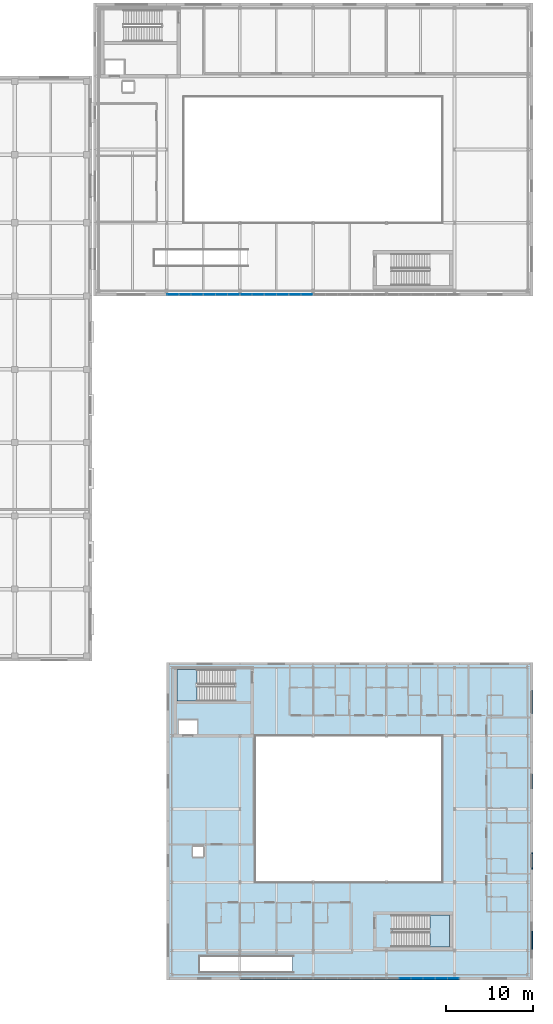
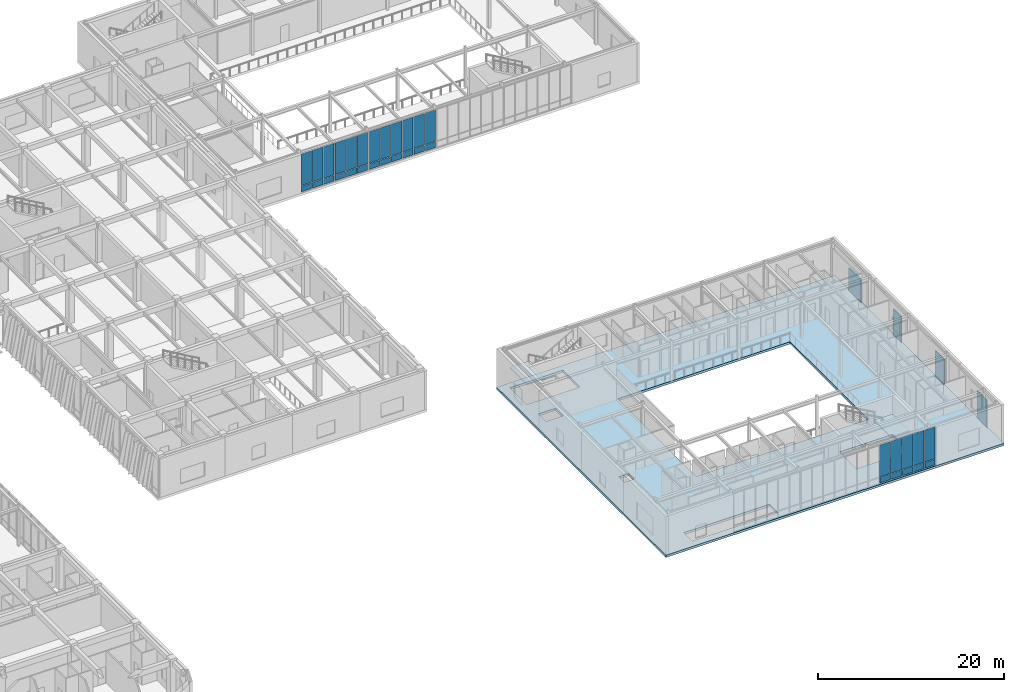
# One storey, part 99 of 139: 38 plates, 3 slabs, 5 elements without a shape of their own.
"""IFC4 building model written with IfcOpenShell, lengths in metres."""

from ifc_helpers import new_model, si_unit, direction, frame, origin, origin_2d, place, context, subcontext, project, spatial, polyline, rectangle, outline, extrude, material, layer, layer_set, type_object, element, aggregate, save


model = new_model("IFC4")

# Units and contexts
model_context = context("Model", 3, precision=1e-05, world=origin(), true_north=direction((0.0, 1.0)))
body_context = subcontext(model_context, "Body", "Model", "MODEL_VIEW")
ifc_project = project(units=[si_unit("LENGTHUNIT", "METRE"), si_unit("AREAUNIT", "SQUARE_METRE"), si_unit("VOLUMEUNIT", "CUBIC_METRE"), si_unit("PLANEANGLEUNIT", "RADIAN"), si_unit("MASSUNIT", "GRAM", prefix="KILO")], contexts=[model_context])

# Site, building, storey
site_placement = place(None, origin())
site = spatial("IfcSite", under=ifc_project, at=site_placement, CompositionType="ELEMENT")
building_placement = place(site_placement, origin())
building = spatial("IfcBuilding", under=site, at=building_placement, Name="Zayran Congress Hotel", CompositionType="ELEMENT")
storey_placement = place(building_placement, frame((0.0, 0.0, 5.39990234375)))
storey = spatial("IfcBuildingStorey", under=building, at=storey_placement, Name="L01", CompositionType="ELEMENT", Elevation=5.39990234375)

# Slab
ifc_material_1 = material(Name="Concrete C32/40", Category="concrete")
ifc_layer_1 = layer(ifc_material_1, 0.300048828125)
ifc_layer_set_1 = layer_set([ifc_layer_1], Name="Concrete C32/40")
slab_type_1 = type_object("IfcSlabType", Name="SL-FL-300", PredefinedType="FLOOR", material=ifc_layer_set_1)
slab_1_placement = place(storey_placement, frame((0.0, 0.0, -0.2998046875)))
element("IfcSlab", 1, at=slab_1_placement, inside=storey, type_object=slab_type_1, Name="SLB-V3-L01-014", PredefinedType="FLOOR", context=body_context, shape_type="SweptSolid", body=[
    extrude(outline(polyline([(151.199951171875, 6.0), (193.199951171875, 6.0), (193.199951171875, 42.39990234375), (151.199951171875, 42.39990234375), (151.199951171875, 6.0)]), holes=[polyline([(152.39990234375, 37.9599609375), (158.9599609375, 37.9599609375), (158.9599609375, 41.60009765625), (152.39990234375, 41.60009765625), (152.39990234375, 37.9599609375)]), polyline([(152.60009765625, 34.199951171875), (154.699951171875, 34.199951171875), (154.699951171875, 35.800048828125), (152.60009765625, 35.800048828125), (152.60009765625, 34.199951171875)]), polyline([(177.090087890625, 9.800048828125), (183.64990234375, 9.800048828125), (183.64990234375, 13.43994140625), (177.090087890625, 13.43994140625), (177.090087890625, 9.800048828125)]), polyline([(161.39990234375, 17.199951171875), (182.800048828125, 17.199951171875), (182.800048828125, 34.0), (161.39990234375, 34.0), (161.39990234375, 17.199951171875)]), polyline([(155.0, 6.89990234375), (165.64990234375, 6.89990234375), (165.64990234375, 8.699951171875), (155.0, 8.699951171875), (155.0, 6.89990234375)]), polyline([(154.199951171875, 20.10009765625), (155.419921875, 20.10009765625), (155.419921875, 21.280029296875), (154.199951171875, 21.280029296875), (154.199951171875, 20.10009765625)])]), origin(), (0.0, 0.0, 1.0), 0.2998046875),
])

# Plates
ifc_material_2 = material(Name="Ajlun reconstituted limestone claustra", Category="masonry")
ifc_layer_2 = layer(ifc_material_2, 0.1201171875)
ifc_layer_set_2 = layer_set([ifc_layer_2], Name="Ajlun reconstituted limestone claustra")
plate_type_1 = type_object("IfcPlateType", Name="TP-CLS-06", PredefinedType="USERDEFINED", material=ifc_layer_set_2)
plate_1_placement = place(storey_placement, frame((193.1201171875, 10.550048828125, 0.0), z_axis=(0.0, 0.0, 1.0), x_axis=(0.0, 1.0, 0.0)))
element("IfcPlate", 2, at=plate_1_placement, inside=storey, type_object=plate_type_1, Name="Pierced Claustra Screen 5", ObjectType="CLAUSTRA SCREEN", PredefinedType="USERDEFINED", context=body_context, shape_type="SweptSolid", body=[
    extrude(rectangle(XDim=2.10009765625, YDim=0.1201171875, at=origin_2d()), origin(), (0.0, 0.0, 1.0), 3.60009765625),
])
ifc_layer_3 = layer(ifc_material_2, 0.1201171875)
ifc_layer_set_3 = layer_set([ifc_layer_3], Name="Ajlun reconstituted limestone claustra")
plate_type_2 = type_object("IfcPlateType", Name="TP-CLS-07", PredefinedType="USERDEFINED", material=ifc_layer_set_3)
plate_2_placement = place(storey_placement, frame((193.1201171875, 19.64990234375, 0.000244140625), z_axis=(0.0, 0.0, 1.0), x_axis=(0.0, 1.0, 0.0)))
element("IfcPlate", 3, at=plate_2_placement, inside=storey, type_object=plate_type_2, Name="Pierced Claustra Screen 6", ObjectType="CLAUSTRA SCREEN", PredefinedType="USERDEFINED", context=body_context, shape_type="SweptSolid", body=[
    extrude(rectangle(XDim=1.89990234375, YDim=0.1201171875, at=origin_2d()), origin(), (0.0, 0.0, 1.0), 3.39990234375),
])
ifc_layer_4 = layer(ifc_material_2, 0.1201171875)
ifc_layer_set_4 = layer_set([ifc_layer_4], Name="Ajlun reconstituted limestone claustra")
plate_type_3 = type_object("IfcPlateType", Name="TP-CLS-08", PredefinedType="USERDEFINED", material=ifc_layer_set_4)
plate_3_placement = place(storey_placement, frame((193.1201171875, 28.75, 0.000244140625), z_axis=(0.0, 0.0, 1.0), x_axis=(0.0, 1.0, 0.0)))
element("IfcPlate", 4, at=plate_3_placement, inside=storey, type_object=plate_type_3, Name="Pierced Claustra Screen 7", ObjectType="CLAUSTRA SCREEN", PredefinedType="USERDEFINED", context=body_context, shape_type="SweptSolid", body=[
    extrude(rectangle(XDim=1.699951171875, YDim=0.1201171875, at=origin_2d()), origin(), (0.0, 0.0, 1.0), 3.39990234375),
])
ifc_layer_5 = layer(ifc_material_2, 0.14990234375)
ifc_layer_set_5 = layer_set([ifc_layer_5], Name="Ajlun reconstituted limestone claustra")
plate_type_4 = type_object("IfcPlateType", Name="TP-CLS-09", PredefinedType="USERDEFINED", material=ifc_layer_set_5)
plate_4_placement = place(storey_placement, frame((193.1201171875, 37.85009765625, 0.0), z_axis=(0.0, 0.0, 1.0), x_axis=(0.0, 1.0, 0.0)))
element("IfcPlate", 5, at=plate_4_placement, inside=storey, type_object=plate_type_4, Name="Pierced Claustra Screen 8", ObjectType="CLAUSTRA SCREEN", PredefinedType="USERDEFINED", context=body_context, shape_type="SweptSolid", body=[
    extrude(rectangle(XDim=2.60009765625, YDim=0.14990234375, at=origin_2d()), origin(), (0.0, 0.0, 1.0), 3.0),
])

# Curtain wall, plates
ifc_material_3 = material(Name="Anodised aluminium and low-E insulated glass", Category="aluminium")
ifc_layer_6 = layer(ifc_material_3, 0.179931640625)
ifc_layer_set_6 = layer_set([ifc_layer_6], Name="Anodised aluminium and low-E insulated glass")
curtain_wall_type_1 = type_object("IfcCurtainWallType", Name="CW-V2S-L01-CW-V22-8395-5080", PredefinedType="USERDEFINED", material=ifc_layer_set_6)
curtain_wall_1_placement = place(storey_placement, origin())
curtain_wall_1 = element("IfcCurtainWall", 6, at=curtain_wall_1_placement, inside=storey, type_object=curtain_wall_type_1, Name="CW-V2S-L01-1", ObjectType="CURTAIN WALL", PredefinedType="USERDEFINED")
ifc_layer_7 = layer(ifc_material_3, 0.028076171875)
ifc_layer_set_7 = layer_set([ifc_layer_7], Name="Anodised aluminium and low-E insulated glass")
plate_type_5 = type_object("IfcPlateType", Name="CWP-GL-1279-4150", PredefinedType="CURTAIN_PANEL", material=ifc_layer_set_7)
plate_5_placement = place(storey_placement, frame((151.919677734375, 84.570068359375, 0.8701171875), z_axis=(0.0, 0.0, 1.0), x_axis=(1.0, 0.0, 0.0)))
plate_5 = element("IfcPlate", 7, at=plate_5_placement, type_object=plate_type_5, Name="CW-V22 Glazed Panel 1", PredefinedType="CURTAIN_PANEL", context=body_context, shape_type="SweptSolid", body=[
    extrude(rectangle(XDim=1.279296875, YDim=0.028076171875, at=origin_2d()), origin(), (0.0, 0.0, 1.0), 4.14990234375),
])
plate_6_placement = place(storey_placement, frame((153.298583984375, 84.570068359375, 0.8701171875), z_axis=(0.0, 0.0, 1.0), x_axis=(1.0, 0.0, 0.0)))
plate_6 = element("IfcPlate", 8, at=plate_6_placement, type_object=plate_type_5, Name="CW-V22 Glazed Panel 2", PredefinedType="CURTAIN_PANEL", context=body_context, shape_type="SweptSolid", body=[
    extrude(rectangle(XDim=1.319091796875, YDim=0.028076171875, at=origin_2d()), origin(), (0.0, 0.0, 1.0), 4.14990234375),
])
plate_7_placement = place(storey_placement, frame((154.697998046875, 84.570068359375, 0.8701171875), z_axis=(0.0, 0.0, 1.0), x_axis=(1.0, 0.0, 0.0)))
plate_7 = element("IfcPlate", 9, at=plate_7_placement, type_object=plate_type_5, Name="CW-V22 Glazed Panel 3", PredefinedType="CURTAIN_PANEL", context=body_context, shape_type="SweptSolid", body=[
    extrude(rectangle(XDim=1.319091796875, YDim=0.028076171875, at=origin_2d()), origin(), (0.0, 0.0, 1.0), 4.14990234375),
])
plate_8_placement = place(storey_placement, frame((156.09716796875, 84.570068359375, 0.8701171875), z_axis=(0.0, 0.0, 1.0), x_axis=(1.0, 0.0, 0.0)))
plate_8 = element("IfcPlate", 10, at=plate_8_placement, type_object=plate_type_5, Name="CW-V22 Glazed Panel 4", PredefinedType="CURTAIN_PANEL", context=body_context, shape_type="SweptSolid", body=[
    extrude(rectangle(XDim=1.319091796875, YDim=0.028076171875, at=origin_2d()), origin(), (0.0, 0.0, 1.0), 4.14990234375),
])
plate_9_placement = place(storey_placement, frame((157.496337890625, 84.570068359375, 0.8701171875), z_axis=(0.0, 0.0, 1.0), x_axis=(1.0, 0.0, 0.0)))
plate_9 = element("IfcPlate", 11, at=plate_9_placement, type_object=plate_type_5, Name="CW-V22 Glazed Panel 5", PredefinedType="CURTAIN_PANEL", context=body_context, shape_type="SweptSolid", body=[
    extrude(rectangle(XDim=1.319091796875, YDim=0.028076171875, at=origin_2d()), origin(), (0.0, 0.0, 1.0), 4.14990234375),
])
plate_10_placement = place(storey_placement, frame((158.87548828125, 84.570068359375, 0.8701171875), z_axis=(0.0, 0.0, 1.0), x_axis=(1.0, 0.0, 0.0)))
plate_10 = element("IfcPlate", 12, at=plate_10_placement, type_object=plate_type_5, Name="CW-V22 Glazed Panel 6", PredefinedType="CURTAIN_PANEL", context=body_context, shape_type="SweptSolid", body=[
    extrude(rectangle(XDim=1.279296875, YDim=0.028076171875, at=origin_2d()), origin(), (0.0, 0.0, 1.0), 4.14990234375),
])
ifc_material_4 = material(Name="Insulated warm bronze aluminium spandrel panel", Category="aluminium")
ifc_layer_8 = layer(ifc_material_4, 0.06005859375)
ifc_layer_set_8 = layer_set([ifc_layer_8], Name="Insulated warm bronze aluminium spandrel panel")
plate_type_6 = type_object("IfcPlateType", Name="CWP-SP-1279-750", PredefinedType="CURTAIN_PANEL", material=ifc_layer_set_8)
plate_11_placement = place(storey_placement, frame((151.919677734375, 84.570068359375, 0.06005859375), z_axis=(0.0, 0.0, 1.0), x_axis=(1.0, 0.0, 0.0)))
plate_11 = element("IfcPlate", 13, at=plate_11_placement, type_object=plate_type_6, Name="CW-V22 Spandrel Panel 1", PredefinedType="CURTAIN_PANEL", context=body_context, shape_type="SweptSolid", body=[
    extrude(rectangle(XDim=1.279296875, YDim=0.06005859375, at=origin_2d()), origin(), (0.0, 0.0, 1.0), 0.75),
])
plate_12_placement = place(storey_placement, frame((153.298583984375, 84.570068359375, 0.06005859375), z_axis=(0.0, 0.0, 1.0), x_axis=(1.0, 0.0, 0.0)))
plate_12 = element("IfcPlate", 14, at=plate_12_placement, type_object=plate_type_6, Name="CW-V22 Spandrel Panel 2", PredefinedType="CURTAIN_PANEL", context=body_context, shape_type="SweptSolid", body=[
    extrude(rectangle(XDim=1.319091796875, YDim=0.06005859375, at=origin_2d()), origin(), (0.0, 0.0, 1.0), 0.75),
])
plate_13_placement = place(storey_placement, frame((154.697998046875, 84.570068359375, 0.06005859375), z_axis=(0.0, 0.0, 1.0), x_axis=(1.0, 0.0, 0.0)))
plate_13 = element("IfcPlate", 15, at=plate_13_placement, type_object=plate_type_6, Name="CW-V22 Spandrel Panel 3", PredefinedType="CURTAIN_PANEL", context=body_context, shape_type="SweptSolid", body=[
    extrude(rectangle(XDim=1.319091796875, YDim=0.06005859375, at=origin_2d()), origin(), (0.0, 0.0, 1.0), 0.75),
])
plate_14_placement = place(storey_placement, frame((156.09716796875, 84.570068359375, 0.06005859375), z_axis=(0.0, 0.0, 1.0), x_axis=(1.0, 0.0, 0.0)))
plate_14 = element("IfcPlate", 16, at=plate_14_placement, type_object=plate_type_6, Name="CW-V22 Spandrel Panel 4", PredefinedType="CURTAIN_PANEL", context=body_context, shape_type="SweptSolid", body=[
    extrude(rectangle(XDim=1.319091796875, YDim=0.06005859375, at=origin_2d()), origin(), (0.0, 0.0, 1.0), 0.75),
])
plate_15_placement = place(storey_placement, frame((157.496337890625, 84.570068359375, 0.06005859375), z_axis=(0.0, 0.0, 1.0), x_axis=(1.0, 0.0, 0.0)))
plate_15 = element("IfcPlate", 17, at=plate_15_placement, type_object=plate_type_6, Name="CW-V22 Spandrel Panel 5", PredefinedType="CURTAIN_PANEL", context=body_context, shape_type="SweptSolid", body=[
    extrude(rectangle(XDim=1.319091796875, YDim=0.06005859375, at=origin_2d()), origin(), (0.0, 0.0, 1.0), 0.75),
])
plate_16_placement = place(storey_placement, frame((158.87548828125, 84.570068359375, 0.06005859375), z_axis=(0.0, 0.0, 1.0), x_axis=(1.0, 0.0, 0.0)))
plate_16 = element("IfcPlate", 18, at=plate_16_placement, type_object=plate_type_6, Name="CW-V22 Spandrel Panel 6", PredefinedType="CURTAIN_PANEL", context=body_context, shape_type="SweptSolid", body=[
    extrude(rectangle(XDim=1.279296875, YDim=0.06005859375, at=origin_2d()), origin(), (0.0, 0.0, 1.0), 0.75),
])
aggregate(curtain_wall_1, [plate_11, plate_5, plate_12, plate_6, plate_13, plate_7, plate_14, plate_8, plate_15, plate_9, plate_16, plate_10])

ifc_layer_9 = layer(ifc_material_3, 0.179931640625)
ifc_layer_set_9 = layer_set([ifc_layer_9], Name="Anodised aluminium and low-E insulated glass")
curtain_wall_type_2 = type_object("IfcCurtainWallType", Name="CW-V3S-L01-CW-V32-8395-5100", PredefinedType="USERDEFINED", material=ifc_layer_set_9)
curtain_wall_2_placement = place(storey_placement, origin())
curtain_wall_2 = element("IfcCurtainWall", 19, at=curtain_wall_2_placement, inside=storey, type_object=curtain_wall_type_2, Name="CW-V3S-L01-3", ObjectType="CURTAIN WALL", PredefinedType="USERDEFINED")
plate_17_placement = place(storey_placement, frame((178.503662109375, 6.159912109375, 0.06005859375), z_axis=(0.0, 0.0, 1.0), x_axis=(1.0, 0.0, 0.0)))
plate_17 = element("IfcPlate", 20, at=plate_17_placement, type_object=plate_type_6, Name="CW-V32 Spandrel Panel 2", PredefinedType="CURTAIN_PANEL", context=body_context, shape_type="SweptSolid", body=[
    extrude(rectangle(XDim=1.319091796875, YDim=0.06005859375, at=origin_2d()), origin(), (0.0, 0.0, 1.0), 0.75),
])
plate_18_placement = place(storey_placement, frame((179.90283203125, 6.159912109375, 0.06005859375), z_axis=(0.0, 0.0, 1.0), x_axis=(1.0, 0.0, 0.0)))
plate_18 = element("IfcPlate", 21, at=plate_18_placement, type_object=plate_type_6, Name="CW-V32 Spandrel Panel 3", PredefinedType="CURTAIN_PANEL", context=body_context, shape_type="SweptSolid", body=[
    extrude(rectangle(XDim=1.319091796875, YDim=0.06005859375, at=origin_2d()), origin(), (0.0, 0.0, 1.0), 0.75),
])
plate_19_placement = place(storey_placement, frame((181.302001953125, 6.159912109375, 0.06005859375), z_axis=(0.0, 0.0, 1.0), x_axis=(1.0, 0.0, 0.0)))
plate_19 = element("IfcPlate", 22, at=plate_19_placement, type_object=plate_type_6, Name="CW-V32 Spandrel Panel 4", PredefinedType="CURTAIN_PANEL", context=body_context, shape_type="SweptSolid", body=[
    extrude(rectangle(XDim=1.319091796875, YDim=0.06005859375, at=origin_2d()), origin(), (0.0, 0.0, 1.0), 0.75),
])
plate_20_placement = place(storey_placement, frame((182.701416015625, 6.159912109375, 0.06005859375), z_axis=(0.0, 0.0, 1.0), x_axis=(1.0, 0.0, 0.0)))
plate_20 = element("IfcPlate", 23, at=plate_20_placement, type_object=plate_type_6, Name="CW-V32 Spandrel Panel 5", PredefinedType="CURTAIN_PANEL", context=body_context, shape_type="SweptSolid", body=[
    extrude(rectangle(XDim=1.319091796875, YDim=0.06005859375, at=origin_2d()), origin(), (0.0, 0.0, 1.0), 0.75),
])
plate_21_placement = place(storey_placement, frame((184.080322265625, 6.159912109375, 0.06005859375), z_axis=(0.0, 0.0, 1.0), x_axis=(1.0, 0.0, 0.0)))
plate_21 = element("IfcPlate", 24, at=plate_21_placement, type_object=plate_type_6, Name="CW-V32 Spandrel Panel 6", PredefinedType="CURTAIN_PANEL", context=body_context, shape_type="SweptSolid", body=[
    extrude(rectangle(XDim=1.279296875, YDim=0.06005859375, at=origin_2d()), origin(), (0.0, 0.0, 1.0), 0.75),
])

ifc_layer_10 = layer(ifc_material_3, 0.179931640625)
ifc_layer_set_10 = layer_set([ifc_layer_10], Name="Anodised aluminium and low-E insulated glass")
curtain_wall_type_3 = type_object("IfcCurtainWallType", Name="CW-V2S-L01-CW-V21-8390-5080", PredefinedType="USERDEFINED", material=ifc_layer_set_10)
curtain_wall_3_placement = place(storey_placement, origin())
curtain_wall_3 = element("IfcCurtainWall", 25, at=curtain_wall_3_placement, inside=storey, type_object=curtain_wall_type_3, Name="CW-V2S-L01-2", ObjectType="CURTAIN WALL", PredefinedType="USERDEFINED")
ifc_layer_11 = layer(ifc_material_3, 0.028076171875)
ifc_layer_set_11 = layer_set([ifc_layer_11], Name="Anodised aluminium and low-E insulated glass")
plate_type_7 = type_object("IfcPlateType", Name="CWP-GL-1278-4150", PredefinedType="CURTAIN_PANEL", material=ifc_layer_set_11)
plate_22_placement = place(storey_placement, frame((160.32421875, 84.570068359375, 0.8701171875), z_axis=(0.0, 0.0, 1.0), x_axis=(1.0, 0.0, 0.0)))
plate_22 = element("IfcPlate", 26, at=plate_22_placement, type_object=plate_type_7, Name="CW-V21 Glazed Panel 1", PredefinedType="CURTAIN_PANEL", context=body_context, shape_type="SweptSolid", body=[
    extrude(rectangle(XDim=1.2783203125, YDim=0.028076171875, at=origin_2d()), origin(), (0.0, 0.0, 1.0), 4.14990234375),
])
plate_23_placement = place(storey_placement, frame((161.702392578125, 84.570068359375, 0.8701171875), z_axis=(0.0, 0.0, 1.0), x_axis=(1.0, 0.0, 0.0)))
plate_23 = element("IfcPlate", 27, at=plate_23_placement, type_object=plate_type_7, Name="CW-V21 Glazed Panel 2", PredefinedType="CURTAIN_PANEL", context=body_context, shape_type="SweptSolid", body=[
    extrude(rectangle(XDim=1.318359375, YDim=0.028076171875, at=origin_2d()), origin(), (0.0, 0.0, 1.0), 4.14990234375),
])
plate_24_placement = place(storey_placement, frame((163.100830078125, 84.570068359375, 0.8701171875), z_axis=(0.0, 0.0, 1.0), x_axis=(1.0, 0.0, 0.0)))
plate_24 = element("IfcPlate", 28, at=plate_24_placement, type_object=plate_type_7, Name="CW-V21 Glazed Panel 3", PredefinedType="CURTAIN_PANEL", context=body_context, shape_type="SweptSolid", body=[
    extrude(rectangle(XDim=1.318359375, YDim=0.028076171875, at=origin_2d()), origin(), (0.0, 0.0, 1.0), 4.14990234375),
])
plate_25_placement = place(storey_placement, frame((164.499267578125, 84.570068359375, 0.8701171875), z_axis=(0.0, 0.0, 1.0), x_axis=(1.0, 0.0, 0.0)))
plate_25 = element("IfcPlate", 29, at=plate_25_placement, type_object=plate_type_7, Name="CW-V21 Glazed Panel 4", PredefinedType="CURTAIN_PANEL", context=body_context, shape_type="SweptSolid", body=[
    extrude(rectangle(XDim=1.318359375, YDim=0.028076171875, at=origin_2d()), origin(), (0.0, 0.0, 1.0), 4.14990234375),
])
plate_26_placement = place(storey_placement, frame((165.8974609375, 84.570068359375, 0.8701171875), z_axis=(0.0, 0.0, 1.0), x_axis=(1.0, 0.0, 0.0)))
plate_26 = element("IfcPlate", 30, at=plate_26_placement, type_object=plate_type_7, Name="CW-V21 Glazed Panel 5", PredefinedType="CURTAIN_PANEL", context=body_context, shape_type="SweptSolid", body=[
    extrude(rectangle(XDim=1.318359375, YDim=0.028076171875, at=origin_2d()), origin(), (0.0, 0.0, 1.0), 4.14990234375),
])
plate_27_placement = place(storey_placement, frame((167.27587890625, 84.570068359375, 0.8701171875), z_axis=(0.0, 0.0, 1.0), x_axis=(1.0, 0.0, 0.0)))
plate_27 = element("IfcPlate", 31, at=plate_27_placement, type_object=plate_type_7, Name="CW-V21 Glazed Panel 6", PredefinedType="CURTAIN_PANEL", context=body_context, shape_type="SweptSolid", body=[
    extrude(rectangle(XDim=1.2783203125, YDim=0.028076171875, at=origin_2d()), origin(), (0.0, 0.0, 1.0), 4.14990234375),
])
ifc_layer_12 = layer(ifc_material_4, 0.06005859375)
ifc_layer_set_12 = layer_set([ifc_layer_12], Name="Insulated warm bronze aluminium spandrel panel")
plate_type_8 = type_object("IfcPlateType", Name="CWP-SP-1278-750", PredefinedType="CURTAIN_PANEL", material=ifc_layer_set_12)
plate_28_placement = place(storey_placement, frame((160.32421875, 84.570068359375, 0.06005859375), z_axis=(0.0, 0.0, 1.0), x_axis=(1.0, 0.0, 0.0)))
plate_28 = element("IfcPlate", 32, at=plate_28_placement, type_object=plate_type_8, Name="CW-V21 Spandrel Panel 1", PredefinedType="CURTAIN_PANEL", context=body_context, shape_type="SweptSolid", body=[
    extrude(rectangle(XDim=1.2783203125, YDim=0.06005859375, at=origin_2d()), origin(), (0.0, 0.0, 1.0), 0.75),
])
plate_29_placement = place(storey_placement, frame((161.702392578125, 84.570068359375, 0.06005859375), z_axis=(0.0, 0.0, 1.0), x_axis=(1.0, 0.0, 0.0)))
plate_29 = element("IfcPlate", 33, at=plate_29_placement, type_object=plate_type_8, Name="CW-V21 Spandrel Panel 2", PredefinedType="CURTAIN_PANEL", context=body_context, shape_type="SweptSolid", body=[
    extrude(rectangle(XDim=1.318359375, YDim=0.06005859375, at=origin_2d()), origin(), (0.0, 0.0, 1.0), 0.75),
])
plate_30_placement = place(storey_placement, frame((163.100830078125, 84.570068359375, 0.06005859375), z_axis=(0.0, 0.0, 1.0), x_axis=(1.0, 0.0, 0.0)))
plate_30 = element("IfcPlate", 34, at=plate_30_placement, type_object=plate_type_8, Name="CW-V21 Spandrel Panel 3", PredefinedType="CURTAIN_PANEL", context=body_context, shape_type="SweptSolid", body=[
    extrude(rectangle(XDim=1.318359375, YDim=0.06005859375, at=origin_2d()), origin(), (0.0, 0.0, 1.0), 0.75),
])
plate_31_placement = place(storey_placement, frame((164.499267578125, 84.570068359375, 0.06005859375), z_axis=(0.0, 0.0, 1.0), x_axis=(1.0, 0.0, 0.0)))
plate_31 = element("IfcPlate", 35, at=plate_31_placement, type_object=plate_type_8, Name="CW-V21 Spandrel Panel 4", PredefinedType="CURTAIN_PANEL", context=body_context, shape_type="SweptSolid", body=[
    extrude(rectangle(XDim=1.318359375, YDim=0.06005859375, at=origin_2d()), origin(), (0.0, 0.0, 1.0), 0.75),
])
plate_32_placement = place(storey_placement, frame((165.8974609375, 84.570068359375, 0.06005859375), z_axis=(0.0, 0.0, 1.0), x_axis=(1.0, 0.0, 0.0)))
plate_32 = element("IfcPlate", 36, at=plate_32_placement, type_object=plate_type_8, Name="CW-V21 Spandrel Panel 5", PredefinedType="CURTAIN_PANEL", context=body_context, shape_type="SweptSolid", body=[
    extrude(rectangle(XDim=1.318359375, YDim=0.06005859375, at=origin_2d()), origin(), (0.0, 0.0, 1.0), 0.75),
])
plate_33_placement = place(storey_placement, frame((167.27587890625, 84.570068359375, 0.06005859375), z_axis=(0.0, 0.0, 1.0), x_axis=(1.0, 0.0, 0.0)))
plate_33 = element("IfcPlate", 37, at=plate_33_placement, type_object=plate_type_8, Name="CW-V21 Spandrel Panel 6", PredefinedType="CURTAIN_PANEL", context=body_context, shape_type="SweptSolid", body=[
    extrude(rectangle(XDim=1.2783203125, YDim=0.06005859375, at=origin_2d()), origin(), (0.0, 0.0, 1.0), 0.75),
])
aggregate(curtain_wall_3, [plate_28, plate_22, plate_29, plate_23, plate_30, plate_24, plate_31, plate_25, plate_32, plate_26, plate_33, plate_27])

# Plate
ifc_layer_13 = layer(ifc_material_3, 0.028076171875)
ifc_layer_set_13 = layer_set([ifc_layer_13], Name="Anodised aluminium and low-E insulated glass")
plate_type_9 = type_object("IfcPlateType", Name="CWP-GL-1279-4170", PredefinedType="CURTAIN_PANEL", material=ifc_layer_set_13)
plate_34_placement = place(storey_placement, frame((178.503662109375, 6.159912109375, 0.8701171875), z_axis=(0.0, 0.0, 1.0), x_axis=(1.0, 0.0, 0.0)))
plate_34 = element("IfcPlate", 38, at=plate_34_placement, type_object=plate_type_9, Name="CW-V32 Glazed Panel 2", PredefinedType="CURTAIN_PANEL", context=body_context, shape_type="SweptSolid", body=[
    extrude(rectangle(XDim=1.319091796875, YDim=0.028076171875, at=origin_2d()), origin(), (0.0, 0.0, 1.0), 4.169921875),
])

plate_35_placement = place(storey_placement, frame((179.90283203125, 6.159912109375, 0.8701171875), z_axis=(0.0, 0.0, 1.0), x_axis=(1.0, 0.0, 0.0)))
plate_35 = element("IfcPlate", 39, at=plate_35_placement, type_object=plate_type_9, Name="CW-V32 Glazed Panel 3", PredefinedType="CURTAIN_PANEL", context=body_context, shape_type="SweptSolid", body=[
    extrude(rectangle(XDim=1.319091796875, YDim=0.028076171875, at=origin_2d()), origin(), (0.0, 0.0, 1.0), 4.169921875),
])

plate_36_placement = place(storey_placement, frame((181.302001953125, 6.159912109375, 0.8701171875), z_axis=(0.0, 0.0, 1.0), x_axis=(1.0, 0.0, 0.0)))
plate_36 = element("IfcPlate", 40, at=plate_36_placement, type_object=plate_type_9, Name="CW-V32 Glazed Panel 4", PredefinedType="CURTAIN_PANEL", context=body_context, shape_type="SweptSolid", body=[
    extrude(rectangle(XDim=1.319091796875, YDim=0.028076171875, at=origin_2d()), origin(), (0.0, 0.0, 1.0), 4.169921875),
])

plate_37_placement = place(storey_placement, frame((182.701416015625, 6.159912109375, 0.8701171875), z_axis=(0.0, 0.0, 1.0), x_axis=(1.0, 0.0, 0.0)))
plate_37 = element("IfcPlate", 41, at=plate_37_placement, type_object=plate_type_9, Name="CW-V32 Glazed Panel 5", PredefinedType="CURTAIN_PANEL", context=body_context, shape_type="SweptSolid", body=[
    extrude(rectangle(XDim=1.319091796875, YDim=0.028076171875, at=origin_2d()), origin(), (0.0, 0.0, 1.0), 4.169921875),
])

plate_38_placement = place(storey_placement, frame((184.080322265625, 6.159912109375, 0.8701171875), z_axis=(0.0, 0.0, 1.0), x_axis=(1.0, 0.0, 0.0)))
plate_38 = element("IfcPlate", 42, at=plate_38_placement, type_object=plate_type_9, Name="CW-V32 Glazed Panel 6", PredefinedType="CURTAIN_PANEL", context=body_context, shape_type="SweptSolid", body=[
    extrude(rectangle(XDim=1.279296875, YDim=0.028076171875, at=origin_2d()), origin(), (0.0, 0.0, 1.0), 4.169921875),
])

aggregate(curtain_wall_2, [plate_17, plate_34, plate_18, plate_35, plate_19, plate_36, plate_20, plate_37, plate_21, plate_38])

# Stair, slab
stair_type = type_object("IfcStairType", Name="TP-STR-1700-54", PredefinedType="USERDEFINED", material=ifc_material_1)
stair_1_placement = place(storey_placement, origin())
stair_1 = element("IfcStair", 43, at=stair_1_placement, inside=storey, type_object=stair_type, Name="L01 ST-11", ObjectType="TWO_RETURN_STAIR", PredefinedType="USERDEFINED")
ifc_layer_14 = layer(ifc_material_1, 0.199951171875)
ifc_layer_set_14 = layer_set([ifc_layer_14], Name="Concrete C32/40")
slab_type_2 = type_object("IfcSlabType", Name="TP-LND-1700", PredefinedType="LANDING", material=ifc_layer_set_14)
slab_2_placement = place(storey_placement, frame((0.0, 0.0, 2.5)))
slab_2 = element("IfcSlab", 44, at=slab_2_placement, type_object=slab_type_2, Name="ST-11 landing 1", PredefinedType="LANDING", context=body_context, shape_type="SweptSolid", body=[
    extrude(outline(polyline([(154.675048828125, 41.60009765625), (152.39990234375, 41.60009765625), (152.39990234375, 37.9599609375), (154.675048828125, 37.9599609375), (154.675048828125, 41.60009765625)])), origin(), (0.0, 0.0, 1.0), 0.2001953125),
])
aggregate(stair_1, [slab_2])

stair_2_placement = place(storey_placement, origin())
stair_2 = element("IfcStair", 45, at=stair_2_placement, inside=storey, type_object=stair_type, Name="L01 ST-12", ObjectType="TWO_RETURN_STAIR", PredefinedType="USERDEFINED")
slab_3_placement = place(storey_placement, frame((0.0, 0.0, 2.5)))
slab_3 = element("IfcSlab", 46, at=slab_3_placement, type_object=slab_type_2, Name="ST-12 landing 1", PredefinedType="LANDING", context=body_context, shape_type="SweptSolid", body=[
    extrude(outline(polyline([(181.375, 9.800048828125), (183.64990234375, 9.800048828125), (183.64990234375, 13.43994140625), (181.375, 13.43994140625), (181.375, 9.800048828125)])), origin(), (0.0, 0.0, 1.0), 0.2001953125),
])
aggregate(stair_2, [slab_3])

save(model, "model.ifc")
